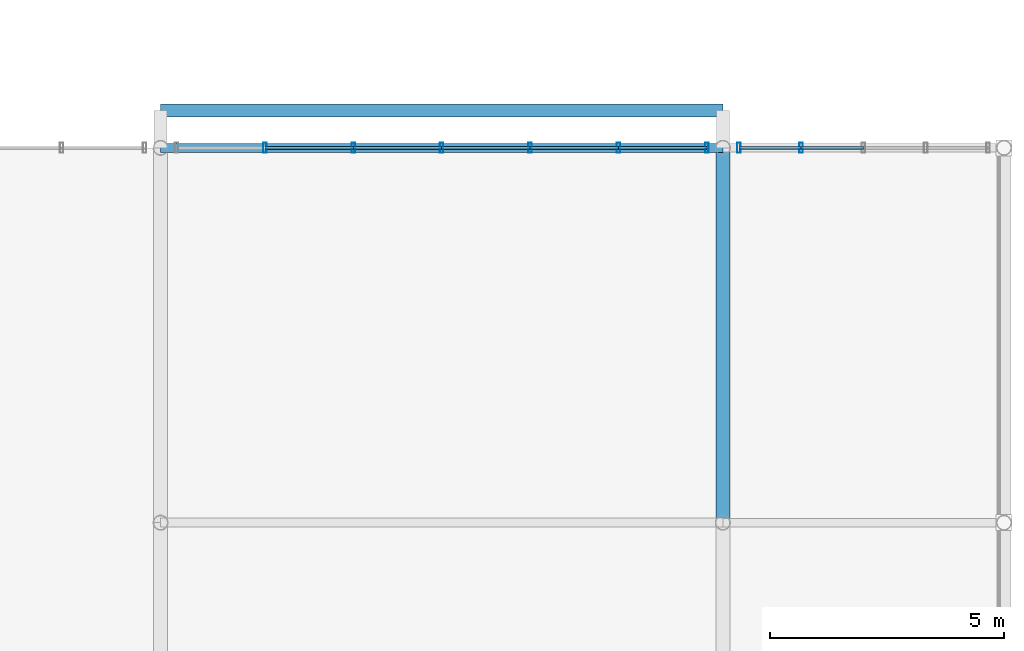
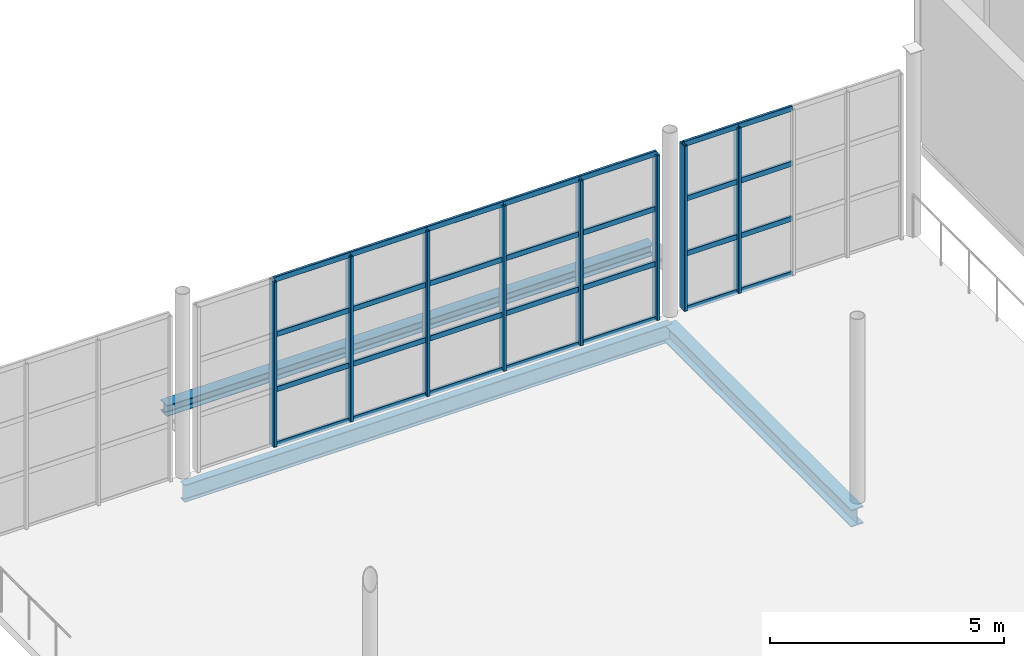
# One storey, part 73 of 143: 36 members, 3 beams, 2 elements without a shape of their own.
"""IFC4 building model written with IfcOpenShell, lengths in metres."""

from ifc_helpers import new_model, si_unit, derived_unit, direction, frame, origin, origin_2d, place, context, subcontext, project, spatial, hollow_rectangle, i_section, extrude, material, material_profile, profile_set, type_object, element, aggregate, save


model = new_model("IFC4")

# Units and contexts
model_context = context("Model", 3, precision=1e-05, world=origin(), true_north=direction((0.0, 1.0)))
body_context = subcontext(model_context, "Body", "Model", "MODEL_VIEW")
ifc_project = project(units=[si_unit("LENGTHUNIT", "METRE"), si_unit("AREAUNIT", "SQUARE_METRE"), si_unit("VOLUMEUNIT", "CUBIC_METRE"), si_unit("PLANEANGLEUNIT", "RADIAN"), si_unit("MASSUNIT", "GRAM", prefix="KILO"), derived_unit("THERMALTRANSMITTANCEUNIT", [(si_unit("POWERUNIT", "WATT"), 1), (si_unit("LENGTHUNIT", "METRE"), -2), (si_unit("THERMODYNAMICTEMPERATUREUNIT", "KELVIN"), -1)])], contexts=[model_context])

# Site, building, storey
site_placement = place(None, origin())
site = spatial("IfcSite", under=ifc_project, at=site_placement, CompositionType="ELEMENT")
building_placement = place(site_placement, origin())
building = spatial("IfcBuilding", under=site, at=building_placement, Name="Keldorne Ridge Multi-Sports Centre", CompositionType="ELEMENT")
storey_placement = place(building_placement, frame((0.0, 0.0, 4.800048828125)))
storey = spatial("IfcBuildingStorey", under=building, at=storey_placement, Name="L01", CompositionType="ELEMENT", Elevation=4.800048828125)

# Beams
ifc_material_1 = material(Name="Steel S355", Category="steel")
ifc_material_profile_1 = material_profile(ifc_material_1, i_section(OverallWidth=0.18994140625, OverallDepth=0.449951171875, WebThickness=0.009521484375, FlangeThickness=0.0146484375, FilletRadius=0.02099609375, at=origin_2d()), Name="IPE 450")
ifc_profile_set_1 = profile_set([ifc_material_profile_1], Name="Steel S355")
beam_type_1 = type_object("IfcBeamType", Name="BM-B-03", PredefinedType="BEAM", material=ifc_profile_set_1)
beam_1_placement = place(storey_placement, frame((84.0, 114.0, -0.445068359375), z_axis=(1.0, 0.0, 0.0), x_axis=(0.0, 1.0, 0.0)))
element("IfcBeam", 1, at=beam_1_placement, inside=storey, type_object=beam_type_1, Name="L01 bridge cross beam 14", PredefinedType="BEAM", context=body_context, shape_type="SweptSolid", body=[
    extrude(i_section(OverallWidth=0.18994140625, OverallDepth=0.449951171875, WebThickness=0.009521484375, FlangeThickness=0.0146484375, FilletRadius=0.02099609375, at=origin_2d()), origin(), (0.0, 0.0, 1.0), 12.0),
])
ifc_material_profile_2 = material_profile(ifc_material_1, i_section(OverallWidth=0.300048828125, OverallDepth=0.449951171875, WebThickness=0.013916015625, FlangeThickness=0.02587890625, FilletRadius=0.027099609375, at=origin_2d()), Name="HEB 450")
ifc_profile_set_2 = profile_set([ifc_material_profile_2], Name="Steel S355")
beam_type_2 = type_object("IfcBeamType", Name="BM-B-11", PredefinedType="BEAM", material=ifc_profile_set_2)
beam_2_placement = place(storey_placement, frame((96.0, 106.0, -0.445068359375), z_axis=(0.0, 1.0, 0.0), x_axis=(-1.0, 0.0, 0.0)))
element("IfcBeam", 2, at=beam_2_placement, inside=storey, type_object=beam_type_2, Name="L01 passage girder G14.13", PredefinedType="BEAM", context=body_context, shape_type="SweptSolid", body=[
    extrude(i_section(OverallWidth=0.300048828125, OverallDepth=0.449951171875, WebThickness=0.013916015625, FlangeThickness=0.02587890625, FilletRadius=0.027099609375, at=origin_2d()), origin(), (0.0, 0.0, 1.0), 8.0),
])
ifc_material_profile_3 = material_profile(ifc_material_1, i_section(OverallWidth=0.280029296875, OverallDepth=0.280029296875, WebThickness=0.010498046875, FlangeThickness=0.01806640625, FilletRadius=0.02392578125, at=origin_2d()), Name="HEB 280")
ifc_profile_set_3 = profile_set([ifc_material_profile_3], Name="Steel S355")
beam_type_3 = type_object("IfcBeamType", Name="BM-B-20", PredefinedType="BEAM", material=ifc_profile_set_3)
beam_3_placement = place(storey_placement, frame((84.0, 114.800048828125, 1.25), z_axis=(1.0, 0.0, 0.0), x_axis=(0.0, 1.0, 0.0)))
element("IfcBeam", 3, at=beam_3_placement, inside=storey, type_object=beam_type_3, Name="Entrance canopy header beam N", PredefinedType="BEAM", context=body_context, shape_type="SweptSolid", body=[
    extrude(i_section(OverallWidth=0.280029296875, OverallDepth=0.280029296875, WebThickness=0.010498046875, FlangeThickness=0.01806640625, FilletRadius=0.02392578125, at=origin_2d()), origin(), (0.0, 0.0, 1.0), 12.0),
])

# Curtain wall, members
ifc_material_2 = material(Name="Anodized aluminium", Category="aluminium")
curtain_wall_type_1 = type_object("IfcCurtainWallType", Name="CW-CW-07", PredefinedType="NOTDEFINED", material=ifc_material_2)
curtain_wall_1_placement = place(storey_placement, origin())
curtain_wall_1 = element("IfcCurtainWall", 4, at=curtain_wall_1_placement, inside=storey, type_object=curtain_wall_type_1, Name="Public Passage N upper glazing 079", PredefinedType="NOTDEFINED")
ifc_material_profile_4 = material_profile(ifc_material_2, hollow_rectangle(XDim=0.074951171875, YDim=0.219970703125, WallThickness=0.0048828125, InnerFilletRadius=0.0048828125, OuterFilletRadius=0.010009765625, at=origin_2d()), Name="ALU MULLION 220x75x5")
ifc_profile_set_4 = profile_set([ifc_material_profile_4], Name="Anodized aluminium")
member_type_1 = type_object("IfcMemberType", Name="MEM-ML-02", PredefinedType="MULLION", material=ifc_profile_set_4)
member_1_placement = place(storey_placement, frame((97.669921875, 114.0, 0.0), z_axis=(0.0, 0.0, 1.0), x_axis=(1.0, 0.0, 0.0)))
member_1 = element("IfcMember", 5, at=member_1_placement, type_object=member_type_1, Name="CW-079 vertical mullion 4", PredefinedType="MULLION", context=body_context, shape_type="SweptSolid", body=[
    extrude(hollow_rectangle(XDim=0.074951171875, YDim=0.219970703125, WallThickness=0.0048828125, InnerFilletRadius=0.0048828125, OuterFilletRadius=0.010009765625, at=origin_2d()), origin(), (0.0, 0.0, 1.0), 4.300048828125),
])
member_2_placement = place(storey_placement, frame((96.340087890625, 114.0, 0.0), z_axis=(0.0, 0.0, 1.0), x_axis=(1.0, 0.0, 0.0)))
member_2 = element("IfcMember", 6, at=member_2_placement, type_object=member_type_1, Name="CW-079 vertical mullion 5", PredefinedType="MULLION", context=body_context, shape_type="SweptSolid", body=[
    extrude(hollow_rectangle(XDim=0.074951171875, YDim=0.219970703125, WallThickness=0.0048828125, InnerFilletRadius=0.0048828125, OuterFilletRadius=0.010009765625, at=origin_2d()), origin(), (0.0, 0.0, 1.0), 4.300048828125),
])

curtain_wall_type_2 = type_object("IfcCurtainWallType", Name="CW-CW-08", PredefinedType="NOTDEFINED", material=ifc_material_2)
curtain_wall_2_placement = place(storey_placement, origin())
curtain_wall_2 = element("IfcCurtainWall", 7, at=curtain_wall_2_placement, inside=storey, type_object=curtain_wall_type_2, Name="Public Passage N upper portal glazing 080", PredefinedType="NOTDEFINED")
member_3_placement = place(storey_placement, frame((95.659912109375, 114.0, 0.0), z_axis=(0.0, 0.0, 1.0), x_axis=(1.0, 0.0, 0.0)))
member_3 = element("IfcMember", 8, at=member_3_placement, type_object=member_type_1, Name="CW-080 vertical mullion 1", PredefinedType="MULLION", context=body_context, shape_type="SweptSolid", body=[
    extrude(hollow_rectangle(XDim=0.074951171875, YDim=0.219970703125, WallThickness=0.0048828125, InnerFilletRadius=0.0048828125, OuterFilletRadius=0.010009765625, at=origin_2d()), origin(), (0.0, 0.0, 1.0), 4.300048828125),
])
member_4_placement = place(storey_placement, frame((93.773193359375, 114.0, 0.0), z_axis=(0.0, 0.0, 1.0), x_axis=(1.0, 0.0, 0.0)))
member_4 = element("IfcMember", 9, at=member_4_placement, type_object=member_type_1, Name="CW-080 vertical mullion 2", PredefinedType="MULLION", context=body_context, shape_type="SweptSolid", body=[
    extrude(hollow_rectangle(XDim=0.074951171875, YDim=0.219970703125, WallThickness=0.0048828125, InnerFilletRadius=0.0048828125, OuterFilletRadius=0.010009765625, at=origin_2d()), origin(), (0.0, 0.0, 1.0), 4.300048828125),
])
member_5_placement = place(storey_placement, frame((91.88671875, 114.0, 0.0), z_axis=(0.0, 0.0, 1.0), x_axis=(1.0, 0.0, 0.0)))
member_5 = element("IfcMember", 10, at=member_5_placement, type_object=member_type_1, Name="CW-080 vertical mullion 3", PredefinedType="MULLION", context=body_context, shape_type="SweptSolid", body=[
    extrude(hollow_rectangle(XDim=0.074951171875, YDim=0.219970703125, WallThickness=0.0048828125, InnerFilletRadius=0.0048828125, OuterFilletRadius=0.010009765625, at=origin_2d()), origin(), (0.0, 0.0, 1.0), 4.300048828125),
])
member_6_placement = place(storey_placement, frame((90.0, 114.0, 0.0), z_axis=(0.0, 0.0, 1.0), x_axis=(1.0, 0.0, 0.0)))
member_6 = element("IfcMember", 11, at=member_6_placement, type_object=member_type_1, Name="CW-080 vertical mullion 4", PredefinedType="MULLION", context=body_context, shape_type="SweptSolid", body=[
    extrude(hollow_rectangle(XDim=0.074951171875, YDim=0.219970703125, WallThickness=0.0048828125, InnerFilletRadius=0.0048828125, OuterFilletRadius=0.010009765625, at=origin_2d()), origin(), (0.0, 0.0, 1.0), 4.300048828125),
])
member_7_placement = place(storey_placement, frame((88.11328125, 114.0, 0.0), z_axis=(0.0, 0.0, 1.0), x_axis=(1.0, 0.0, 0.0)))
member_7 = element("IfcMember", 12, at=member_7_placement, type_object=member_type_1, Name="CW-080 vertical mullion 5", PredefinedType="MULLION", context=body_context, shape_type="SweptSolid", body=[
    extrude(hollow_rectangle(XDim=0.074951171875, YDim=0.219970703125, WallThickness=0.0048828125, InnerFilletRadius=0.0048828125, OuterFilletRadius=0.010009765625, at=origin_2d()), origin(), (0.0, 0.0, 1.0), 4.300048828125),
])
member_8_placement = place(storey_placement, frame((86.226806640625, 114.0, 0.0), z_axis=(0.0, 0.0, 1.0), x_axis=(1.0, 0.0, 0.0)))
member_8 = element("IfcMember", 13, at=member_8_placement, type_object=member_type_1, Name="CW-080 vertical mullion 6", PredefinedType="MULLION", context=body_context, shape_type="SweptSolid", body=[
    extrude(hollow_rectangle(XDim=0.074951171875, YDim=0.219970703125, WallThickness=0.0048828125, InnerFilletRadius=0.0048828125, OuterFilletRadius=0.010009765625, at=origin_2d()), origin(), (0.0, 0.0, 1.0), 4.300048828125),
])

# Member
ifc_material_profile_5 = material_profile(ifc_material_2, hollow_rectangle(XDim=0.06494140625, YDim=0.139892578125, WallThickness=0.00439453125, InnerFilletRadius=0.00439453125, OuterFilletRadius=0.009033203125, at=origin_2d()), Name="ALU TRANSOM 140x65x4.5")
ifc_profile_set_5 = profile_set([ifc_material_profile_5], Name="Anodized aluminium")
member_type_2 = type_object("IfcMemberType", Name="MEM-TR-01", PredefinedType="USERDEFINED", material=ifc_profile_set_5)
member_9_placement = place(storey_placement, frame((99.0, 114.0, 0.0), z_axis=(-1.0, 0.0, 0.0), x_axis=(0.0, -1.0, 0.0)))
member_9 = element("IfcMember", 14, at=member_9_placement, type_object=member_type_2, Name="CW-079 transom 3.1", ObjectType="TRANSOM", PredefinedType="USERDEFINED", context=body_context, shape_type="SweptSolid", body=[
    extrude(hollow_rectangle(XDim=0.06494140625, YDim=0.139892578125, WallThickness=0.00439453125, InnerFilletRadius=0.00439453125, OuterFilletRadius=0.009033203125, at=origin_2d()), origin(), (0.0, 0.0, 1.0), 1.330078125),
])

member_10_placement = place(storey_placement, frame((99.0, 114.0, 1.433349609375), z_axis=(-1.0, 0.0, 0.0), x_axis=(0.0, -1.0, 0.0)))
member_10 = element("IfcMember", 15, at=member_10_placement, type_object=member_type_2, Name="CW-079 transom 3.2", ObjectType="TRANSOM", PredefinedType="USERDEFINED", context=body_context, shape_type="SweptSolid", body=[
    extrude(hollow_rectangle(XDim=0.06494140625, YDim=0.139892578125, WallThickness=0.00439453125, InnerFilletRadius=0.00439453125, OuterFilletRadius=0.009033203125, at=origin_2d()), origin(), (0.0, 0.0, 1.0), 1.330078125),
])

member_11_placement = place(storey_placement, frame((99.0, 114.0, 2.86669921875), z_axis=(-1.0, 0.0, 0.0), x_axis=(0.0, -1.0, 0.0)))
member_11 = element("IfcMember", 16, at=member_11_placement, type_object=member_type_2, Name="CW-079 transom 3.3", ObjectType="TRANSOM", PredefinedType="USERDEFINED", context=body_context, shape_type="SweptSolid", body=[
    extrude(hollow_rectangle(XDim=0.06494140625, YDim=0.139892578125, WallThickness=0.00439453125, InnerFilletRadius=0.00439453125, OuterFilletRadius=0.009033203125, at=origin_2d()), origin(), (0.0, 0.0, 1.0), 1.330078125),
])

member_12_placement = place(storey_placement, frame((99.0, 114.0, 4.300048828125), z_axis=(-1.0, 0.0, 0.0), x_axis=(0.0, -1.0, 0.0)))
member_12 = element("IfcMember", 17, at=member_12_placement, type_object=member_type_2, Name="CW-079 transom 3.4", ObjectType="TRANSOM", PredefinedType="USERDEFINED", context=body_context, shape_type="SweptSolid", body=[
    extrude(hollow_rectangle(XDim=0.06494140625, YDim=0.139892578125, WallThickness=0.00439453125, InnerFilletRadius=0.00439453125, OuterFilletRadius=0.009033203125, at=origin_2d()), origin(), (0.0, 0.0, 1.0), 1.330078125),
])

member_13_placement = place(storey_placement, frame((97.669921875, 114.0, 0.0), z_axis=(-1.0, 0.0, 0.0), x_axis=(0.0, -1.0, 0.0)))
member_13 = element("IfcMember", 18, at=member_13_placement, type_object=member_type_2, Name="CW-079 transom 4.1", ObjectType="TRANSOM", PredefinedType="USERDEFINED", context=body_context, shape_type="SweptSolid", body=[
    extrude(hollow_rectangle(XDim=0.06494140625, YDim=0.139892578125, WallThickness=0.00439453125, InnerFilletRadius=0.00439453125, OuterFilletRadius=0.009033203125, at=origin_2d()), origin(), (0.0, 0.0, 1.0), 1.329833984375),
])

member_14_placement = place(storey_placement, frame((97.669921875, 114.0, 1.433349609375), z_axis=(-1.0, 0.0, 0.0), x_axis=(0.0, -1.0, 0.0)))
member_14 = element("IfcMember", 19, at=member_14_placement, type_object=member_type_2, Name="CW-079 transom 4.2", ObjectType="TRANSOM", PredefinedType="USERDEFINED", context=body_context, shape_type="SweptSolid", body=[
    extrude(hollow_rectangle(XDim=0.06494140625, YDim=0.139892578125, WallThickness=0.00439453125, InnerFilletRadius=0.00439453125, OuterFilletRadius=0.009033203125, at=origin_2d()), origin(), (0.0, 0.0, 1.0), 1.329833984375),
])

member_15_placement = place(storey_placement, frame((97.669921875, 114.0, 2.86669921875), z_axis=(-1.0, 0.0, 0.0), x_axis=(0.0, -1.0, 0.0)))
member_15 = element("IfcMember", 20, at=member_15_placement, type_object=member_type_2, Name="CW-079 transom 4.3", ObjectType="TRANSOM", PredefinedType="USERDEFINED", context=body_context, shape_type="SweptSolid", body=[
    extrude(hollow_rectangle(XDim=0.06494140625, YDim=0.139892578125, WallThickness=0.00439453125, InnerFilletRadius=0.00439453125, OuterFilletRadius=0.009033203125, at=origin_2d()), origin(), (0.0, 0.0, 1.0), 1.329833984375),
])

member_16_placement = place(storey_placement, frame((97.669921875, 114.0, 4.300048828125), z_axis=(-1.0, 0.0, 0.0), x_axis=(0.0, -1.0, 0.0)))
member_16 = element("IfcMember", 21, at=member_16_placement, type_object=member_type_2, Name="CW-079 transom 4.4", ObjectType="TRANSOM", PredefinedType="USERDEFINED", context=body_context, shape_type="SweptSolid", body=[
    extrude(hollow_rectangle(XDim=0.06494140625, YDim=0.139892578125, WallThickness=0.00439453125, InnerFilletRadius=0.00439453125, OuterFilletRadius=0.009033203125, at=origin_2d()), origin(), (0.0, 0.0, 1.0), 1.329833984375),
])

aggregate(curtain_wall_1, [member_1, member_2, member_9, member_10, member_11, member_12, member_13, member_14, member_15, member_16])

member_17_placement = place(storey_placement, frame((95.659912109375, 114.0, 0.0), z_axis=(-1.0, 0.0, 0.0), x_axis=(0.0, -1.0, 0.0)))
member_17 = element("IfcMember", 22, at=member_17_placement, type_object=member_type_2, Name="CW-080 transom 1.1", ObjectType="TRANSOM", PredefinedType="USERDEFINED", context=body_context, shape_type="SweptSolid", body=[
    extrude(hollow_rectangle(XDim=0.06494140625, YDim=0.139892578125, WallThickness=0.00439453125, InnerFilletRadius=0.00439453125, OuterFilletRadius=0.009033203125, at=origin_2d()), origin(), (0.0, 0.0, 1.0), 1.88671875),
])

member_18_placement = place(storey_placement, frame((95.659912109375, 114.0, 1.433349609375), z_axis=(-1.0, 0.0, 0.0), x_axis=(0.0, -1.0, 0.0)))
member_18 = element("IfcMember", 23, at=member_18_placement, type_object=member_type_2, Name="CW-080 transom 1.2", ObjectType="TRANSOM", PredefinedType="USERDEFINED", context=body_context, shape_type="SweptSolid", body=[
    extrude(hollow_rectangle(XDim=0.06494140625, YDim=0.139892578125, WallThickness=0.00439453125, InnerFilletRadius=0.00439453125, OuterFilletRadius=0.009033203125, at=origin_2d()), origin(), (0.0, 0.0, 1.0), 1.88671875),
])

member_19_placement = place(storey_placement, frame((95.659912109375, 114.0, 2.86669921875), z_axis=(-1.0, 0.0, 0.0), x_axis=(0.0, -1.0, 0.0)))
member_19 = element("IfcMember", 24, at=member_19_placement, type_object=member_type_2, Name="CW-080 transom 1.3", ObjectType="TRANSOM", PredefinedType="USERDEFINED", context=body_context, shape_type="SweptSolid", body=[
    extrude(hollow_rectangle(XDim=0.06494140625, YDim=0.139892578125, WallThickness=0.00439453125, InnerFilletRadius=0.00439453125, OuterFilletRadius=0.009033203125, at=origin_2d()), origin(), (0.0, 0.0, 1.0), 1.88671875),
])

member_20_placement = place(storey_placement, frame((95.659912109375, 114.0, 4.300048828125), z_axis=(-1.0, 0.0, 0.0), x_axis=(0.0, -1.0, 0.0)))
member_20 = element("IfcMember", 25, at=member_20_placement, type_object=member_type_2, Name="CW-080 transom 1.4", ObjectType="TRANSOM", PredefinedType="USERDEFINED", context=body_context, shape_type="SweptSolid", body=[
    extrude(hollow_rectangle(XDim=0.06494140625, YDim=0.139892578125, WallThickness=0.00439453125, InnerFilletRadius=0.00439453125, OuterFilletRadius=0.009033203125, at=origin_2d()), origin(), (0.0, 0.0, 1.0), 1.88671875),
])

member_21_placement = place(storey_placement, frame((93.773193359375, 114.0, 0.0), z_axis=(-1.0, 0.0, 0.0), x_axis=(0.0, -1.0, 0.0)))
member_21 = element("IfcMember", 26, at=member_21_placement, type_object=member_type_2, Name="CW-080 transom 2.1", ObjectType="TRANSOM", PredefinedType="USERDEFINED", context=body_context, shape_type="SweptSolid", body=[
    extrude(hollow_rectangle(XDim=0.06494140625, YDim=0.139892578125, WallThickness=0.00439453125, InnerFilletRadius=0.00439453125, OuterFilletRadius=0.009033203125, at=origin_2d()), origin(), (0.0, 0.0, 1.0), 1.886474609375),
])

member_22_placement = place(storey_placement, frame((93.773193359375, 114.0, 1.433349609375), z_axis=(-1.0, 0.0, 0.0), x_axis=(0.0, -1.0, 0.0)))
member_22 = element("IfcMember", 27, at=member_22_placement, type_object=member_type_2, Name="CW-080 transom 2.2", ObjectType="TRANSOM", PredefinedType="USERDEFINED", context=body_context, shape_type="SweptSolid", body=[
    extrude(hollow_rectangle(XDim=0.06494140625, YDim=0.139892578125, WallThickness=0.00439453125, InnerFilletRadius=0.00439453125, OuterFilletRadius=0.009033203125, at=origin_2d()), origin(), (0.0, 0.0, 1.0), 1.886474609375),
])

member_23_placement = place(storey_placement, frame((93.773193359375, 114.0, 2.86669921875), z_axis=(-1.0, 0.0, 0.0), x_axis=(0.0, -1.0, 0.0)))
member_23 = element("IfcMember", 28, at=member_23_placement, type_object=member_type_2, Name="CW-080 transom 2.3", ObjectType="TRANSOM", PredefinedType="USERDEFINED", context=body_context, shape_type="SweptSolid", body=[
    extrude(hollow_rectangle(XDim=0.06494140625, YDim=0.139892578125, WallThickness=0.00439453125, InnerFilletRadius=0.00439453125, OuterFilletRadius=0.009033203125, at=origin_2d()), origin(), (0.0, 0.0, 1.0), 1.886474609375),
])

member_24_placement = place(storey_placement, frame((93.773193359375, 114.0, 4.300048828125), z_axis=(-1.0, 0.0, 0.0), x_axis=(0.0, -1.0, 0.0)))
member_24 = element("IfcMember", 29, at=member_24_placement, type_object=member_type_2, Name="CW-080 transom 2.4", ObjectType="TRANSOM", PredefinedType="USERDEFINED", context=body_context, shape_type="SweptSolid", body=[
    extrude(hollow_rectangle(XDim=0.06494140625, YDim=0.139892578125, WallThickness=0.00439453125, InnerFilletRadius=0.00439453125, OuterFilletRadius=0.009033203125, at=origin_2d()), origin(), (0.0, 0.0, 1.0), 1.886474609375),
])

member_25_placement = place(storey_placement, frame((91.88671875, 114.0, 0.0), z_axis=(-1.0, 0.0, 0.0), x_axis=(0.0, -1.0, 0.0)))
member_25 = element("IfcMember", 30, at=member_25_placement, type_object=member_type_2, Name="CW-080 transom 3.1", ObjectType="TRANSOM", PredefinedType="USERDEFINED", context=body_context, shape_type="SweptSolid", body=[
    extrude(hollow_rectangle(XDim=0.06494140625, YDim=0.139892578125, WallThickness=0.00439453125, InnerFilletRadius=0.00439453125, OuterFilletRadius=0.009033203125, at=origin_2d()), origin(), (0.0, 0.0, 1.0), 1.88671875),
])

member_26_placement = place(storey_placement, frame((91.88671875, 114.0, 1.433349609375), z_axis=(-1.0, 0.0, 0.0), x_axis=(0.0, -1.0, 0.0)))
member_26 = element("IfcMember", 31, at=member_26_placement, type_object=member_type_2, Name="CW-080 transom 3.2", ObjectType="TRANSOM", PredefinedType="USERDEFINED", context=body_context, shape_type="SweptSolid", body=[
    extrude(hollow_rectangle(XDim=0.06494140625, YDim=0.139892578125, WallThickness=0.00439453125, InnerFilletRadius=0.00439453125, OuterFilletRadius=0.009033203125, at=origin_2d()), origin(), (0.0, 0.0, 1.0), 1.88671875),
])

member_27_placement = place(storey_placement, frame((91.88671875, 114.0, 2.86669921875), z_axis=(-1.0, 0.0, 0.0), x_axis=(0.0, -1.0, 0.0)))
member_27 = element("IfcMember", 32, at=member_27_placement, type_object=member_type_2, Name="CW-080 transom 3.3", ObjectType="TRANSOM", PredefinedType="USERDEFINED", context=body_context, shape_type="SweptSolid", body=[
    extrude(hollow_rectangle(XDim=0.06494140625, YDim=0.139892578125, WallThickness=0.00439453125, InnerFilletRadius=0.00439453125, OuterFilletRadius=0.009033203125, at=origin_2d()), origin(), (0.0, 0.0, 1.0), 1.88671875),
])

member_28_placement = place(storey_placement, frame((91.88671875, 114.0, 4.300048828125), z_axis=(-1.0, 0.0, 0.0), x_axis=(0.0, -1.0, 0.0)))
member_28 = element("IfcMember", 33, at=member_28_placement, type_object=member_type_2, Name="CW-080 transom 3.4", ObjectType="TRANSOM", PredefinedType="USERDEFINED", context=body_context, shape_type="SweptSolid", body=[
    extrude(hollow_rectangle(XDim=0.06494140625, YDim=0.139892578125, WallThickness=0.00439453125, InnerFilletRadius=0.00439453125, OuterFilletRadius=0.009033203125, at=origin_2d()), origin(), (0.0, 0.0, 1.0), 1.88671875),
])

member_29_placement = place(storey_placement, frame((90.0, 114.0, 0.0), z_axis=(-1.0, 0.0, 0.0), x_axis=(0.0, -1.0, 0.0)))
member_29 = element("IfcMember", 34, at=member_29_placement, type_object=member_type_2, Name="CW-080 transom 4.1", ObjectType="TRANSOM", PredefinedType="USERDEFINED", context=body_context, shape_type="SweptSolid", body=[
    extrude(hollow_rectangle(XDim=0.06494140625, YDim=0.139892578125, WallThickness=0.00439453125, InnerFilletRadius=0.00439453125, OuterFilletRadius=0.009033203125, at=origin_2d()), origin(), (0.0, 0.0, 1.0), 1.88671875),
])

member_30_placement = place(storey_placement, frame((90.0, 114.0, 1.433349609375), z_axis=(-1.0, 0.0, 0.0), x_axis=(0.0, -1.0, 0.0)))
member_30 = element("IfcMember", 35, at=member_30_placement, type_object=member_type_2, Name="CW-080 transom 4.2", ObjectType="TRANSOM", PredefinedType="USERDEFINED", context=body_context, shape_type="SweptSolid", body=[
    extrude(hollow_rectangle(XDim=0.06494140625, YDim=0.139892578125, WallThickness=0.00439453125, InnerFilletRadius=0.00439453125, OuterFilletRadius=0.009033203125, at=origin_2d()), origin(), (0.0, 0.0, 1.0), 1.88671875),
])

member_31_placement = place(storey_placement, frame((90.0, 114.0, 2.86669921875), z_axis=(-1.0, 0.0, 0.0), x_axis=(0.0, -1.0, 0.0)))
member_31 = element("IfcMember", 36, at=member_31_placement, type_object=member_type_2, Name="CW-080 transom 4.3", ObjectType="TRANSOM", PredefinedType="USERDEFINED", context=body_context, shape_type="SweptSolid", body=[
    extrude(hollow_rectangle(XDim=0.06494140625, YDim=0.139892578125, WallThickness=0.00439453125, InnerFilletRadius=0.00439453125, OuterFilletRadius=0.009033203125, at=origin_2d()), origin(), (0.0, 0.0, 1.0), 1.88671875),
])

member_32_placement = place(storey_placement, frame((90.0, 114.0, 4.300048828125), z_axis=(-1.0, 0.0, 0.0), x_axis=(0.0, -1.0, 0.0)))
member_32 = element("IfcMember", 37, at=member_32_placement, type_object=member_type_2, Name="CW-080 transom 4.4", ObjectType="TRANSOM", PredefinedType="USERDEFINED", context=body_context, shape_type="SweptSolid", body=[
    extrude(hollow_rectangle(XDim=0.06494140625, YDim=0.139892578125, WallThickness=0.00439453125, InnerFilletRadius=0.00439453125, OuterFilletRadius=0.009033203125, at=origin_2d()), origin(), (0.0, 0.0, 1.0), 1.88671875),
])

member_33_placement = place(storey_placement, frame((88.11328125, 114.0, 0.0), z_axis=(-1.0, 0.0, 0.0), x_axis=(0.0, -1.0, 0.0)))
member_33 = element("IfcMember", 38, at=member_33_placement, type_object=member_type_2, Name="CW-080 transom 5.1", ObjectType="TRANSOM", PredefinedType="USERDEFINED", context=body_context, shape_type="SweptSolid", body=[
    extrude(hollow_rectangle(XDim=0.06494140625, YDim=0.139892578125, WallThickness=0.00439453125, InnerFilletRadius=0.00439453125, OuterFilletRadius=0.009033203125, at=origin_2d()), origin(), (0.0, 0.0, 1.0), 1.886474609375),
])

member_34_placement = place(storey_placement, frame((88.11328125, 114.0, 1.433349609375), z_axis=(-1.0, 0.0, 0.0), x_axis=(0.0, -1.0, 0.0)))
member_34 = element("IfcMember", 39, at=member_34_placement, type_object=member_type_2, Name="CW-080 transom 5.2", ObjectType="TRANSOM", PredefinedType="USERDEFINED", context=body_context, shape_type="SweptSolid", body=[
    extrude(hollow_rectangle(XDim=0.06494140625, YDim=0.139892578125, WallThickness=0.00439453125, InnerFilletRadius=0.00439453125, OuterFilletRadius=0.009033203125, at=origin_2d()), origin(), (0.0, 0.0, 1.0), 1.886474609375),
])

member_35_placement = place(storey_placement, frame((88.11328125, 114.0, 2.86669921875), z_axis=(-1.0, 0.0, 0.0), x_axis=(0.0, -1.0, 0.0)))
member_35 = element("IfcMember", 40, at=member_35_placement, type_object=member_type_2, Name="CW-080 transom 5.3", ObjectType="TRANSOM", PredefinedType="USERDEFINED", context=body_context, shape_type="SweptSolid", body=[
    extrude(hollow_rectangle(XDim=0.06494140625, YDim=0.139892578125, WallThickness=0.00439453125, InnerFilletRadius=0.00439453125, OuterFilletRadius=0.009033203125, at=origin_2d()), origin(), (0.0, 0.0, 1.0), 1.886474609375),
])

member_36_placement = place(storey_placement, frame((88.11328125, 114.0, 4.300048828125), z_axis=(-1.0, 0.0, 0.0), x_axis=(0.0, -1.0, 0.0)))
member_36 = element("IfcMember", 41, at=member_36_placement, type_object=member_type_2, Name="CW-080 transom 5.4", ObjectType="TRANSOM", PredefinedType="USERDEFINED", context=body_context, shape_type="SweptSolid", body=[
    extrude(hollow_rectangle(XDim=0.06494140625, YDim=0.139892578125, WallThickness=0.00439453125, InnerFilletRadius=0.00439453125, OuterFilletRadius=0.009033203125, at=origin_2d()), origin(), (0.0, 0.0, 1.0), 1.886474609375),
])

aggregate(curtain_wall_2, [member_3, member_4, member_5, member_6, member_7, member_8, member_17, member_18, member_19, member_20, member_21, member_22, member_23, member_24, member_25, member_26, member_27, member_28, member_29, member_30, member_31, member_32, member_33, member_34, member_35, member_36])

save(model, "model.ifc")
